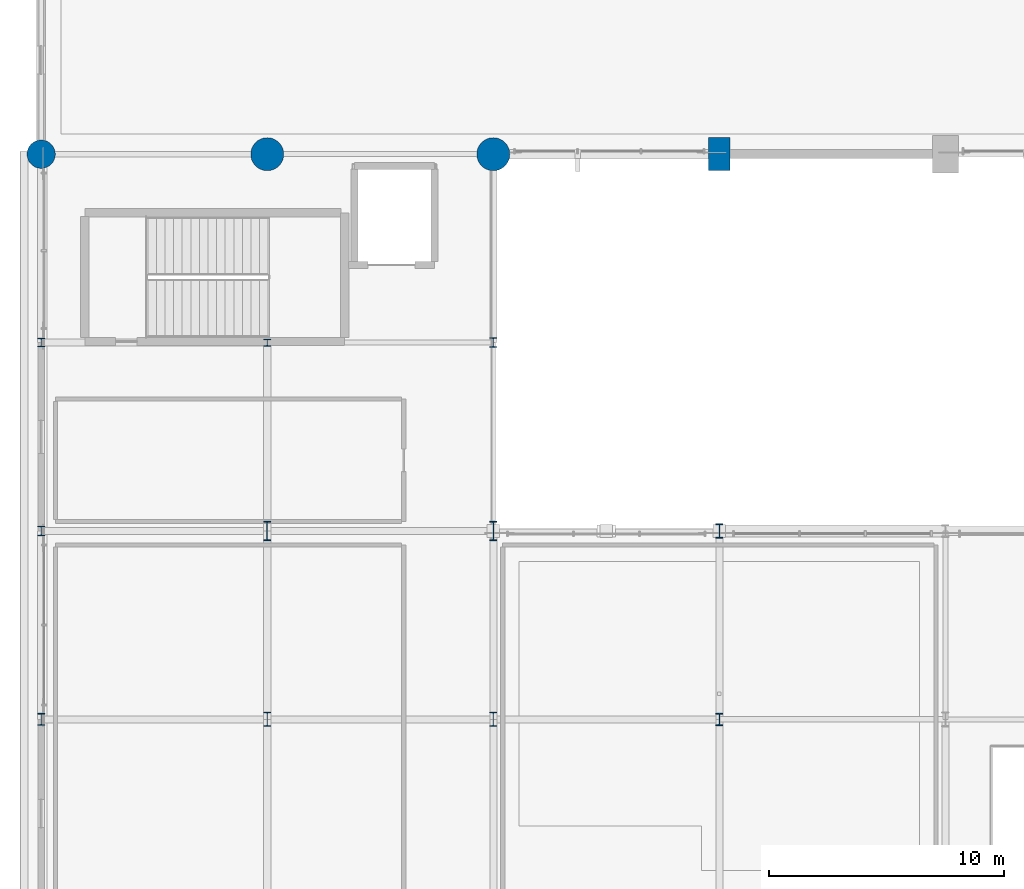
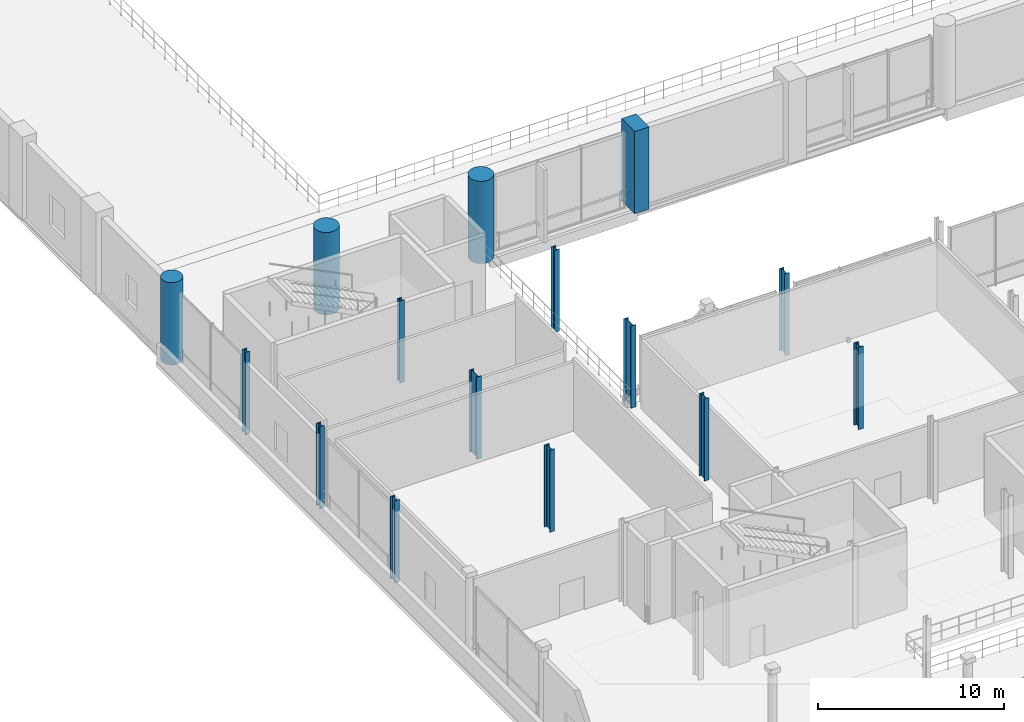
# One storey, part 3 of 129: 15 columns.
"""IFC4 building model written with IfcOpenShell, lengths in metres."""

from ifc_helpers import new_model, si_unit, direction, frame, origin, origin_2d, place, context, subcontext, project, spatial, rectangle, circle, i_section, extrude, material, material_profile, profile_set, type_object, element, save


model = new_model("IFC4")

# Units and contexts
model_context = context("Model", 3, precision=1e-05, world=origin(), true_north=direction((0.0, 1.0)))
body_context = subcontext(model_context, "Body", "Model", "MODEL_VIEW")
ifc_project = project(units=[si_unit("LENGTHUNIT", "METRE"), si_unit("AREAUNIT", "SQUARE_METRE"), si_unit("VOLUMEUNIT", "CUBIC_METRE"), si_unit("PLANEANGLEUNIT", "RADIAN"), si_unit("MASSUNIT", "GRAM", prefix="KILO")], contexts=[model_context])

# Site, building, storey
site_placement = place(None, origin())
site = spatial("IfcSite", under=ifc_project, at=site_placement, CompositionType="ELEMENT")
building_placement = place(site_placement, origin())
building = spatial("IfcBuilding", under=site, at=building_placement, Name="Danafjord Basin Convention Centre", CompositionType="ELEMENT")
storey_placement = place(building_placement, frame((0.0, 0.0, 6.0)))
storey = spatial("IfcBuildingStorey", under=building, at=storey_placement, Name="L01", CompositionType="ELEMENT", Elevation=6.0)

# Columns
ifc_material_1 = material(Name="Steel S355", Category="steel")
ifc_material_profile_1 = material_profile(ifc_material_1, i_section(OverallWidth=0.300048828125, OverallDepth=0.300048828125, WebThickness=0.010986328125, FlangeThickness=0.01904296875, FilletRadius=0.027099609375, at=origin_2d()), Name="HEB 300")
ifc_profile_set_1 = profile_set([ifc_material_profile_1], Name="Steel S355")
column_type_1 = type_object("IfcColumnType", Name="COL-C-HEB300", PredefinedType="COLUMN", material=ifc_profile_set_1)
column_1_placement = place(storey_placement, frame((9.60009765625, 48.0, 0.0), z_axis=(0.0, 0.0, 1.0), x_axis=(1.0, 0.0, 0.0)))
element("IfcColumn", 1, at=column_1_placement, inside=storey, type_object=column_type_1, Name="L01 column C-HEB300 at (9.6, 48.0)", PredefinedType="COLUMN", context=body_context, shape_type="SweptSolid", body=[
    extrude(i_section(OverallWidth=0.300048828125, OverallDepth=0.300048828125, WebThickness=0.010986328125, FlangeThickness=0.01904296875, FilletRadius=0.027099609375, at=origin_2d()), origin(), (0.0, 0.0, 1.0), 5.39990234375),
])
ifc_material_profile_2 = material_profile(ifc_material_1, i_section(OverallWidth=0.300048828125, OverallDepth=0.360107421875, WebThickness=0.012451171875, FlangeThickness=0.0224609375, FilletRadius=0.027099609375, at=origin_2d()), Name="HEB 360")
ifc_profile_set_2 = profile_set([ifc_material_profile_2], Name="Steel S355")
column_type_2 = type_object("IfcColumnType", Name="COL-C-HEB360", PredefinedType="COLUMN", material=ifc_profile_set_2)
column_2_placement = place(storey_placement, frame((0.0, 48.0, 0.0), z_axis=(0.0, 0.0, 1.0), x_axis=(1.0, 0.0, 0.0)))
element("IfcColumn", 2, at=column_2_placement, inside=storey, type_object=column_type_2, Name="L01 column C-HEB360 at (0.0, 48.0)", PredefinedType="COLUMN", context=body_context, shape_type="SweptSolid", body=[
    extrude(i_section(OverallWidth=0.300048828125, OverallDepth=0.360107421875, WebThickness=0.012451171875, FlangeThickness=0.0224609375, FilletRadius=0.027099609375, at=origin_2d()), origin(), (0.0, 0.0, 1.0), 5.39990234375),
])
ifc_material_profile_3 = material_profile(ifc_material_1, i_section(OverallWidth=0.300048828125, OverallDepth=0.39990234375, WebThickness=0.013427734375, FlangeThickness=0.02392578125, FilletRadius=0.027099609375, at=origin_2d()), Name="HEB 400")
ifc_profile_set_3 = profile_set([ifc_material_profile_3], Name="Steel S355")
column_type_3 = type_object("IfcColumnType", Name="COL-C-HEB400", PredefinedType="COLUMN", material=ifc_profile_set_3)
for number, where, z_axis, x_axis, name in (
    (3, (0.0, 40.0, 0.0), (0.0, 0.0, 1.0), (1.0, 0.0, 0.0), "L01 column C-HEB400 at (0.0, 40.0)"),
    (4, (19.199951171875, 48.0, 0.0), (0.0, 0.0, 1.0), (1.0, 0.0, 0.0), "L01 column C-HEB400 at (19.2, 48.0)"),
):
    element("IfcColumn", number, at=place(storey_placement, frame(where, z_axis=z_axis, x_axis=x_axis)), inside=storey, type_object=column_type_3, Name=name, PredefinedType="COLUMN", context=body_context, shape_type="SweptSolid", body=[
        extrude(i_section(OverallWidth=0.300048828125, OverallDepth=0.39990234375, WebThickness=0.013427734375, FlangeThickness=0.02392578125, FilletRadius=0.027099609375, at=origin_2d()), origin(), (0.0, 0.0, 1.0), 5.39990234375),
    ])
ifc_material_profile_4 = material_profile(ifc_material_1, i_section(OverallWidth=0.300048828125, OverallDepth=0.5, WebThickness=0.014404296875, FlangeThickness=0.028076171875, FilletRadius=0.027099609375, at=origin_2d()), Name="HEB 500")
ifc_profile_set_4 = profile_set([ifc_material_profile_4], Name="Steel S355")
column_type_4 = type_object("IfcColumnType", Name="COL-C-HEB500", PredefinedType="COLUMN", material=ifc_profile_set_4)
column_3_placement = place(storey_placement, frame((0.0, 32.0, 0.0), z_axis=(0.0, 0.0, 1.0), x_axis=(1.0, 0.0, 0.0)))
element("IfcColumn", 5, at=column_3_placement, inside=storey, type_object=column_type_4, Name="L01 column C-HEB500 at (0.0, 32.0)", PredefinedType="COLUMN", context=body_context, shape_type="SweptSolid", body=[
    extrude(i_section(OverallWidth=0.300048828125, OverallDepth=0.5, WebThickness=0.014404296875, FlangeThickness=0.028076171875, FilletRadius=0.027099609375, at=origin_2d()), origin(), (0.0, 0.0, 1.0), 5.39990234375),
])
ifc_material_profile_5 = material_profile(ifc_material_1, i_section(OverallWidth=0.300048828125, OverallDepth=0.60009765625, WebThickness=0.015380859375, FlangeThickness=0.030029296875, FilletRadius=0.027099609375, at=origin_2d()), Name="HEB 600")
ifc_profile_set_5 = profile_set([ifc_material_profile_5], Name="Steel S355")
column_type_5 = type_object("IfcColumnType", Name="COL-C-HEB600", PredefinedType="COLUMN", material=ifc_profile_set_5)
for number, where, z_axis, x_axis, name in (
    (6, (9.60009765625, 32.0, 0.0), (0.0, 0.0, 1.0), (1.0, 0.0, 0.0), "L01 column C-HEB600 at (9.6, 32.0)"),
    (7, (19.199951171875, 32.0, 0.0), (0.0, 0.0, 1.0), (1.0, 0.0, 0.0), "L01 column C-HEB600 at (19.2, 32.0)"),
    (8, (28.800048828125, 40.0, 0.0), (0.0, 0.0, 1.0), (1.0, 0.0, 0.0), "L01 column C-HEB600 at (28.8, 40.0)"),
):
    element("IfcColumn", number, at=place(storey_placement, frame(where, z_axis=z_axis, x_axis=x_axis)), inside=storey, type_object=column_type_5, Name=name, PredefinedType="COLUMN", context=body_context, shape_type="SweptSolid", body=[
        extrude(i_section(OverallWidth=0.300048828125, OverallDepth=0.60009765625, WebThickness=0.015380859375, FlangeThickness=0.030029296875, FilletRadius=0.027099609375, at=origin_2d()), origin(), (0.0, 0.0, 1.0), 5.39990234375),
    ])
ifc_material_profile_6 = material_profile(ifc_material_1, i_section(OverallWidth=0.305908203125, OverallDepth=0.52392578125, WebThickness=0.02099609375, FlangeThickness=0.0400390625, FilletRadius=0.027099609375, at=origin_2d()), Name="HEM 500")
ifc_profile_set_6 = profile_set([ifc_material_profile_6], Name="Steel S355")
column_type_6 = type_object("IfcColumnType", Name="COL-C-HEM500", PredefinedType="COLUMN", material=ifc_profile_set_6)
column_4_placement = place(storey_placement, frame((28.800048828125, 32.0, 0.0), z_axis=(0.0, 0.0, 1.0), x_axis=(1.0, 0.0, 0.0)))
element("IfcColumn", 9, at=column_4_placement, inside=storey, type_object=column_type_6, Name="L01 column C-HEM500 at (28.8, 32.0)", PredefinedType="COLUMN", context=body_context, shape_type="SweptSolid", body=[
    extrude(i_section(OverallWidth=0.305908203125, OverallDepth=0.52392578125, WebThickness=0.02099609375, FlangeThickness=0.0400390625, FilletRadius=0.027099609375, at=origin_2d()), origin(), (0.0, 0.0, 1.0), 5.39990234375),
])
ifc_material_profile_7 = material_profile(ifc_material_1, i_section(OverallWidth=0.302978515625, OverallDepth=0.81396484375, WebThickness=0.02099609375, FlangeThickness=0.0400390625, FilletRadius=0.030029296875, at=origin_2d()), Name="HEM 800")
ifc_profile_set_7 = profile_set([ifc_material_profile_7], Name="Steel S355")
column_type_7 = type_object("IfcColumnType", Name="COL-C-HEM800", PredefinedType="COLUMN", material=ifc_profile_set_7)
for number, where, z_axis, x_axis, name in (
    (10, (9.60009765625, 40.0, 0.0), (0.0, 0.0, 1.0), (1.0, 0.0, 0.0), "L01 column C-HEM800 at (9.6, 40.0)"),
    (11, (19.199951171875, 40.0, 0.0), (0.0, 0.0, 1.0), (1.0, 0.0, 0.0), "L01 column C-HEM800 at (19.2, 40.0)"),
):
    element("IfcColumn", number, at=place(storey_placement, frame(where, z_axis=z_axis, x_axis=x_axis)), inside=storey, type_object=column_type_7, Name=name, PredefinedType="COLUMN", context=body_context, shape_type="SweptSolid", body=[
        extrude(i_section(OverallWidth=0.302978515625, OverallDepth=0.81396484375, WebThickness=0.02099609375, FlangeThickness=0.0400390625, FilletRadius=0.030029296875, at=origin_2d()), origin(), (0.0, 0.0, 1.0), 5.39990234375),
    ])
ifc_material_2 = material(Name="Concrete C50/60", Category="concrete")
ifc_material_profile_8 = material_profile(ifc_material_2, rectangle(XDim=0.89990234375, YDim=1.39990234375, at=origin_2d()), Name="RC 1400x900")
ifc_profile_set_8 = profile_set([ifc_material_profile_8], Name="Concrete C50/60")
column_type_8 = type_object("IfcColumnType", Name="COL-C-RC1400", PredefinedType="COLUMN", material=ifc_profile_set_8)
column_5_placement = place(storey_placement, frame((28.800048828125, 56.0, 0.0), z_axis=(0.0, 0.0, 1.0), x_axis=(1.0, 0.0, 0.0)))
element("IfcColumn", 12, at=column_5_placement, inside=storey, type_object=column_type_8, Name="L01 column C-RC1400 at (28.8, 56.0)", PredefinedType="COLUMN", context=body_context, shape_type="SweptSolid", body=[
    extrude(rectangle(XDim=0.89990234375, YDim=1.39990234375, at=origin_2d()), origin(), (0.0, 0.0, 1.0), 5.39990234375),
])
ifc_material_profile_9 = material_profile(ifc_material_2, circle(Radius=0.60009765625, at=origin_2d()), Name="RC D1200")
ifc_profile_set_9 = profile_set([ifc_material_profile_9], Name="Concrete C50/60")
column_type_9 = type_object("IfcColumnType", Name="COL-C-RCD1200", PredefinedType="COLUMN", material=ifc_profile_set_9)
column_6_placement = place(storey_placement, frame((0.0, 56.0, 0.0), z_axis=(0.0, 0.0, 1.0), x_axis=(1.0, 0.0, 0.0)))
element("IfcColumn", 13, at=column_6_placement, inside=storey, type_object=column_type_9, Name="L01 column C-RCD1200 at (0.0, 56.0)", PredefinedType="COLUMN", context=body_context, shape_type="SweptSolid", body=[
    extrude(circle(Radius=0.60009765625, at=origin_2d()), origin(), (0.0, 0.0, 1.0), 5.39990234375),
])
ifc_material_profile_10 = material_profile(ifc_material_2, circle(Radius=0.699951171875, at=origin_2d()), Name="RC D1400")
ifc_profile_set_10 = profile_set([ifc_material_profile_10], Name="Concrete C50/60")
column_type_10 = type_object("IfcColumnType", Name="COL-C-RCD1400", PredefinedType="COLUMN", material=ifc_profile_set_10)
for number, where, z_axis, x_axis, name in (
    (14, (9.60009765625, 56.0, 0.0), (0.0, 0.0, 1.0), (1.0, 0.0, 0.0), "L01 column C-RCD1400 at (9.6, 56.0)"),
    (15, (19.199951171875, 56.0, 0.0), (0.0, 0.0, 1.0), (1.0, 0.0, 0.0), "L01 column C-RCD1400 at (19.2, 56.0)"),
):
    element("IfcColumn", number, at=place(storey_placement, frame(where, z_axis=z_axis, x_axis=x_axis)), inside=storey, type_object=column_type_10, Name=name, PredefinedType="COLUMN", context=body_context, shape_type="SweptSolid", body=[
        extrude(circle(Radius=0.699951171875, at=origin_2d()), origin(), (0.0, 0.0, 1.0), 5.39990234375),
    ])

save(model, "model.ifc")
